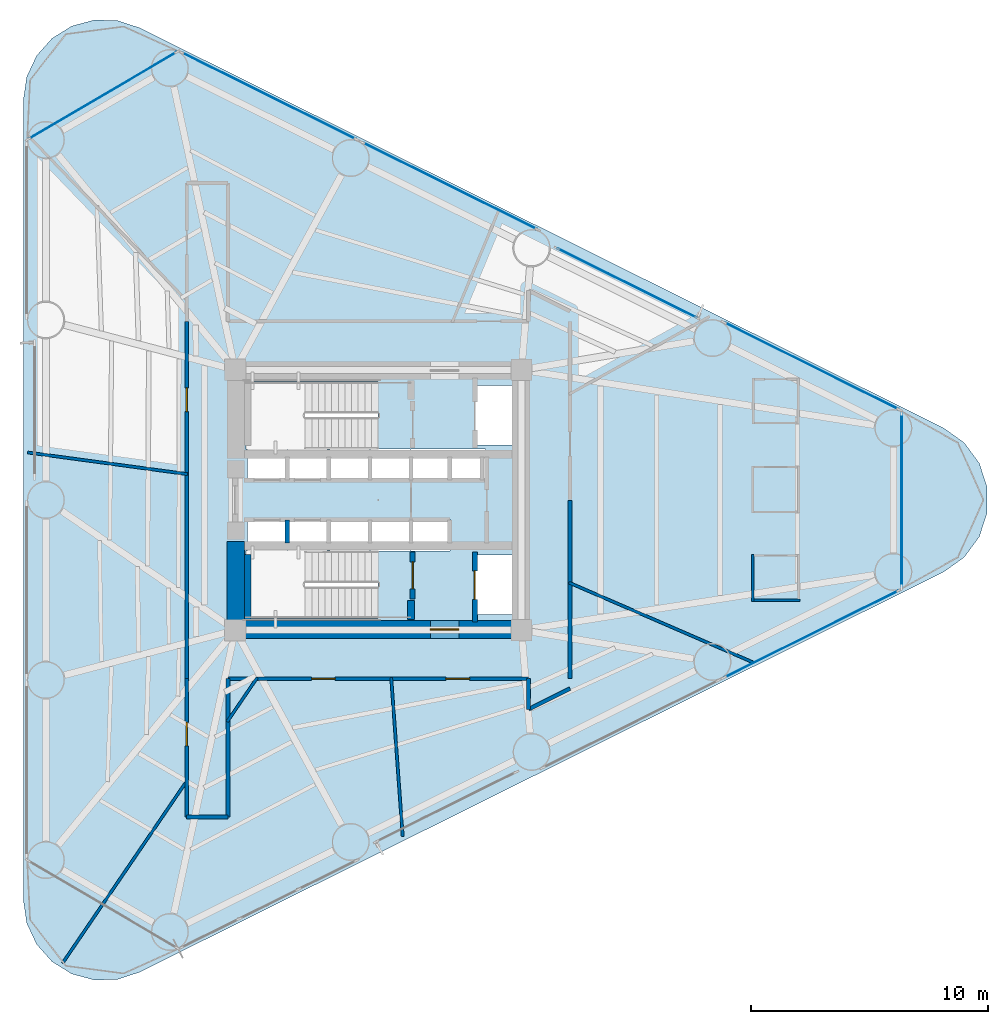
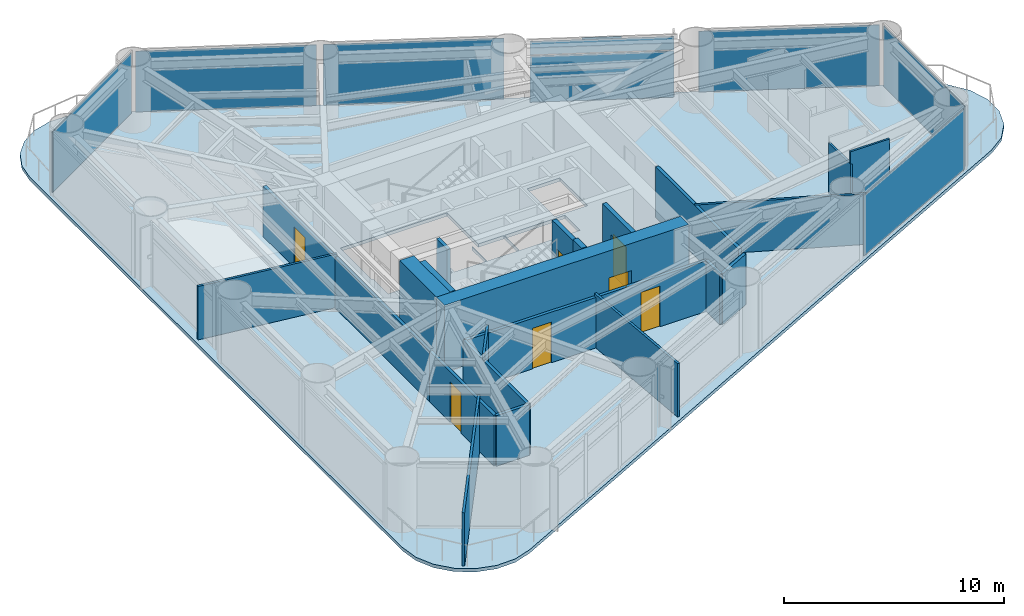
# One storey, part 5 of 10: 22 walls, 9 plates, 7 doors, 1 slab, 7 openings, 7 elements without a shape of their own.
"""IFC4 building model written with IfcOpenShell, lengths in metres."""

from ifc_helpers import new_model, si_unit, direction, frame, frame_2d, origin, origin_2d, place, context, subcontext, project, spatial, polyline, rectangle, outline, extrude, source, transform, mapped, material, layer, layer_set, type_object, element, fill, aggregate, save


model = new_model("IFC4")

# Units and contexts
model_context = context("Model", 3, precision=1e-05, world=origin(), true_north=direction((0.0, 1.0)))
body_context = subcontext(model_context, "Body", "Model", "MODEL_VIEW")
ifc_project = project(units=[si_unit("LENGTHUNIT", "METRE"), si_unit("AREAUNIT", "SQUARE_METRE"), si_unit("VOLUMEUNIT", "CUBIC_METRE"), si_unit("PLANEANGLEUNIT", "RADIAN"), si_unit("MASSUNIT", "GRAM", prefix="KILO")], contexts=[model_context])

# Site, building, storey
site_placement = place(None, origin())
site = spatial("IfcSite", under=ifc_project, at=site_placement, CompositionType="ELEMENT")
building_placement = place(site_placement, origin())
building = spatial("IfcBuilding", under=site, at=building_placement, Name="Yunling Apex Tower", CompositionType="ELEMENT")
storey_placement = place(building_placement, frame((0.0, 0.0, 31.199951171875)))
storey = spatial("IfcBuildingStorey", under=building, at=storey_placement, Name="L09", CompositionType="ELEMENT", Elevation=31.199951171875)

# Slab
ifc_material_1 = material(Name="Concrete C40", Category="concrete")
ifc_layer_1 = layer(ifc_material_1, 0.179931640625)
ifc_layer_set_1 = layer_set([ifc_layer_1], Name="Concrete C40")
slab_type = type_object("IfcSlabType", Name="SL-FLR-1", PredefinedType="FLOOR", material=ifc_layer_set_1)
slab_placement = place(storey_placement, frame((0.0, 0.0, -0.18505859375)))
element("IfcSlab", 1, at=slab_placement, inside=storey, type_object=slab_type, Name="L09 Composite Tower Floor Slab", PredefinedType="FLOOR", context=body_context, shape_type="SweptSolid", body=[
    extrude(outline(polyline([(-15.001953125, -16.909912109375), (-14.859619140625, -17.88330078125), (-14.444580078125, -18.775390625), (-13.79150390625, -19.510986328125), (-12.955078125, -20.029052734375), (-12.00537109375, -20.285888671875), (-11.02197265625, -20.260009765625), (-10.0869140625, -19.953857421875), (23.88818359375, -3.043701171875), (24.76123046875, -2.42041015625), (25.396484375, -1.555908203125), (25.730712890625, -0.536376953125), (25.730712890625, 0.536376953125), (25.396484375, 1.555908203125), (24.76123046875, 2.42041015625), (23.88818359375, 3.043701171875), (-10.0869140625, 19.953857421875), (-11.02197265625, 20.260009765625), (-12.00537109375, 20.285888671875), (-12.955078125, 20.029052734375), (-13.79150390625, 19.510986328125), (-14.444580078125, 18.775390625), (-14.859619140625, 17.88330078125), (-15.001953125, 16.909912109375), (-15.001953125, -16.909912109375)]), holes=[polyline([(5.81005859375, -2.320068359375), (5.81005859375, -4.840087890625), (4.090087890625, -4.840087890625), (4.090087890625, -2.320068359375), (5.81005859375, -2.320068359375)]), polyline([(5.81005859375, 4.840087890625), (5.81005859375, 2.320068359375), (4.090087890625, 2.320068359375), (4.090087890625, 4.840087890625), (5.81005859375, 4.840087890625)]), polyline([(1.364990234375, 2.1650390625), (4.534912109375, 2.1650390625), (4.534912109375, 0.794921875), (1.364990234375, 0.794921875), (1.364990234375, 2.1650390625)]), polyline([(3.034912109375, -0.794921875), (3.034912109375, -2.1650390625), (1.364990234375, -2.1650390625), (1.364990234375, -0.794921875), (3.034912109375, -0.794921875)]), polyline([(-5.534912109375, -0.794921875), (-3.864990234375, -0.794921875), (-3.864990234375, -2.139892578125), (-3.8349609375, -2.139892578125), (-3.8349609375, -0.794921875), (-2.1650390625, -0.794921875), (-2.1650390625, -2.139892578125), (-2.034912109375, -2.139892578125), (-2.034912109375, -0.794921875), (-0.364990234375, -0.794921875), (-0.364990234375, -2.139892578125), (-0.3349609375, -2.139892578125), (-0.3349609375, -0.794921875), (1.3349609375, -0.794921875), (1.3349609375, -2.1650390625), (-0.010009765625, -2.1650390625), (-0.010009765625, -5.010009765625), (-5.60009765625, -5.010009765625), (-5.60009765625, -2.139892578125), (-5.534912109375, -2.139892578125), (-5.534912109375, -0.794921875)]), polyline([(-5.60009765625, 2.139892578125), (-5.60009765625, 5.010009765625), (-0.010009765625, 5.010009765625), (-0.010009765625, 2.1650390625), (1.3349609375, 2.1650390625), (1.3349609375, 0.794921875), (-0.3349609375, 0.794921875), (-0.3349609375, 2.139892578125), (-0.364990234375, 2.139892578125), (-0.364990234375, 0.794921875), (-2.034912109375, 0.794921875), (-2.034912109375, 2.139892578125), (-2.1650390625, 2.139892578125), (-2.1650390625, 0.794921875), (-3.8349609375, 0.794921875), (-3.8349609375, 2.139892578125), (-3.864990234375, 2.139892578125), (-3.864990234375, 0.794921875), (-5.534912109375, 0.794921875), (-5.534912109375, 2.139892578125), (-5.60009765625, 2.139892578125)])]), origin(), (0.0, 0.0, 1.0), 0.18505859375),
])

# Curtain wall, plate
ifc_material_2 = material(Name="Bronze anodised aluminium", Category="aluminium")
ifc_layer_2 = layer(ifc_material_2, 0.260009765625)
ifc_layer_set_2 = layer_set([ifc_layer_2], Name="Bronze anodised aluminium")
curtain_wall_type = type_object("IfcCurtainWallType", Name="CW-SYS-2", PredefinedType="NOTDEFINED", material=ifc_layer_set_2)
curtain_wall_1_placement = place(storey_placement, origin())
curtain_wall_1 = element("IfcCurtainWall", 2, at=curtain_wall_1_placement, inside=storey, type_object=curtain_wall_type, Name="CW-L09-F1-B4", PredefinedType="NOTDEFINED")
ifc_material_3 = material(Name="Bronze tinted low-E glass", Category="glass")
ifc_layer_3 = layer(ifc_material_3, 0.033935546875)
ifc_layer_set_3 = layer_set([ifc_layer_3], Name="Bronze tinted low-E glass")
plate_type_1 = type_object("IfcPlateType", Name="CW-PNL-2", PredefinedType="CURTAIN_PANEL", material=ifc_layer_set_3)
shared_shape_1 = source(origin(), body_context, "Body", "SweptSolid", [
    extrude(rectangle(XDim=8.225341796875, YDim=0.033935546875, at=origin_2d()), origin(), (0.0, 0.0, 1.0), 3.361572265625),
])
plate_1_placement = place(storey_placement, frame((18.304931640625, -5.666259765625, 0.07666015625), z_axis=(0.0, 0.0, 1.0), x_axis=(0.895242031011, 0.445580190214, 0.0)))
plate_1 = element("IfcPlate", 3, at=plate_1_placement, type_object=plate_type_1, Name="CW-SYS-2 panel 1.1", PredefinedType="CURTAIN_PANEL", context=body_context, shape_type="MappedRepresentation", body=[
    mapped(shared_shape_1, transform((0.0, 0.0, 0.0), scale=1.0)),
])
aggregate(curtain_wall_1, [plate_1])

curtain_wall_2_placement = place(storey_placement, origin())
curtain_wall_2 = element("IfcCurtainWall", 4, at=curtain_wall_2_placement, inside=storey, type_object=curtain_wall_type, Name="CW-L09-F2-B1", PredefinedType="NOTDEFINED")
plate_2_placement = place(storey_placement, frame((18.304931640625, 5.666259765625, 0.07666015625), z_axis=(0.0, 0.0, 1.0), x_axis=(-0.895242031011, 0.445580190214, 0.0)))
plate_2 = element("IfcPlate", 5, at=plate_2_placement, type_object=plate_type_1, Name="CW-SYS-2 panel 1.1", PredefinedType="CURTAIN_PANEL", context=body_context, shape_type="MappedRepresentation", body=[
    mapped(shared_shape_1, transform((0.0, 0.0, 0.0), scale=1.0)),
])
aggregate(curtain_wall_2, [plate_2])

curtain_wall_3_placement = place(storey_placement, origin())
curtain_wall_3 = element("IfcCurtainWall", 6, at=curtain_wall_3_placement, inside=storey, type_object=curtain_wall_type, Name="CW-L09-F2-B3", PredefinedType="NOTDEFINED")
plate_3_placement = place(storey_placement, frame((3.01611328125, 13.27587890625, 0.07666015625), z_axis=(0.0, 0.0, 1.0), x_axis=(-0.895242031011, 0.445580190214, 0.0)))
plate_3 = element("IfcPlate", 7, at=plate_3_placement, type_object=plate_type_1, Name="CW-SYS-2 panel 1.1", PredefinedType="CURTAIN_PANEL", context=body_context, shape_type="MappedRepresentation", body=[
    mapped(shared_shape_1, transform((0.0, 0.0, 0.0), scale=1.0)),
])
aggregate(curtain_wall_3, [plate_3])

curtain_wall_4_placement = place(storey_placement, origin())
curtain_wall_4 = element("IfcCurtainWall", 8, at=curtain_wall_4_placement, inside=storey, type_object=curtain_wall_type, Name="CW-L09-F2-B4", PredefinedType="NOTDEFINED")
plate_4_placement = place(storey_placement, frame((-4.62841796875, 17.08056640625, 0.07666015625), z_axis=(0.0, 0.0, 1.0), x_axis=(-0.895246791748, 0.445570625003, 0.0)))
plate_4 = element("IfcPlate", 9, at=plate_4_placement, type_object=plate_type_1, Name="CW-SYS-2 panel 1.1", PredefinedType="CURTAIN_PANEL", context=body_context, shape_type="MappedRepresentation", body=[
    mapped(shared_shape_1, transform((0.0, 0.0, 0.0), scale=1.0)),
])
aggregate(curtain_wall_4, [plate_4])

curtain_wall_5_placement = place(storey_placement, origin())
curtain_wall_5 = element("IfcCurtainWall", 10, at=curtain_wall_5_placement, inside=storey, type_object=curtain_wall_type, Name="CW-L09-CRN1", PredefinedType="NOTDEFINED")
shared_shape_2 = source(origin(), body_context, "Body", "SweptSolid", [
    extrude(rectangle(XDim=7.338623046875, YDim=0.033935546875, at=origin_2d()), origin(), (0.0, 0.0, 1.0), 3.361572265625),
])
plate_5_placement = place(storey_placement, frame((22.1181640625, 0.0, 0.07666015625), z_axis=(0.0, 0.0, 1.0), x_axis=(0.0, 1.0, 0.0)))
plate_5 = element("IfcPlate", 11, at=plate_5_placement, type_object=plate_type_1, Name="CW-SYS-2 panel 1.1", PredefinedType="CURTAIN_PANEL", context=body_context, shape_type="MappedRepresentation", body=[
    mapped(shared_shape_2, transform((0.0, 0.0, 0.0), scale=1.0)),
])
aggregate(curtain_wall_5, [plate_5])

curtain_wall_6_placement = place(storey_placement, origin())
curtain_wall_6 = element("IfcCurtainWall", 12, at=curtain_wall_6_placement, inside=storey, type_object=curtain_wall_type, Name="CW-L09-CRN2", PredefinedType="NOTDEFINED")
shared_shape_3 = source(origin(), body_context, "Body", "SweptSolid", [
    extrude(rectangle(XDim=7.247314453125, YDim=0.033935546875, at=origin_2d()), origin(), (0.0, 0.0, 1.0), 3.361572265625),
])
plate_6_placement = place(storey_placement, frame((-11.650634765625, 17.092041015625, 0.07666015625), z_axis=(0.0, 0.0, 1.0), x_axis=(-0.86241873323, -0.506195543811, 0.0)))
plate_6 = element("IfcPlate", 13, at=plate_6_placement, type_object=plate_type_1, Name="CW-SYS-2 panel 1.1", PredefinedType="CURTAIN_PANEL", context=body_context, shape_type="MappedRepresentation", body=[
    mapped(shared_shape_3, transform((0.0, 0.0, 0.0), scale=1.0)),
])
aggregate(curtain_wall_6, [plate_6])

# Curtain wall, plates
curtain_wall_7_placement = place(storey_placement, origin())
curtain_wall_7 = element("IfcCurtainWall", 14, at=curtain_wall_7_placement, inside=storey, type_object=curtain_wall_type, Name="CW-L09-F2-B2", PredefinedType="NOTDEFINED")
shared_shape_4 = source(origin(), body_context, "Body", "SweptSolid", [
    extrude(rectangle(XDim=6.54541015625, YDim=0.033935546875, at=origin_2d()), origin(), (0.0, 0.0, 1.0), 2.560302734375),
])
plate_7_placement = place(storey_placement, frame((10.509033203125, 9.166748046875, 0.07666015625), z_axis=(0.0, 0.0, 1.0), x_axis=(-0.895243732344, 0.445576771947, 0.0)))
plate_7 = element("IfcPlate", 15, at=plate_7_placement, type_object=plate_type_1, Name="CW-SYS-2 panel 1.1", PredefinedType="CURTAIN_PANEL", context=body_context, shape_type="MappedRepresentation", body=[
    mapped(shared_shape_4, transform((0.0, 0.0, 0.0), scale=1.0)),
])
shared_shape_5 = source(origin(), body_context, "Body", "SweptSolid", [
    extrude(rectangle(XDim=6.54541015625, YDim=0.033935546875, at=origin_2d()), origin(), (0.0, 0.0, 1.0), 0.732666015625),
])
plate_8_placement = place(storey_placement, frame((10.509033203125, 9.166748046875, 2.70556640625), z_axis=(0.0, 0.0, 1.0), x_axis=(-0.895243732344, 0.445576771947, 0.0)))
plate_8 = element("IfcPlate", 16, at=plate_8_placement, type_object=plate_type_1, Name="CW-SYS-2 panel 1.2", PredefinedType="CURTAIN_PANEL", context=body_context, shape_type="MappedRepresentation", body=[
    mapped(shared_shape_5, transform((0.0, 0.0, 0.0), scale=1.0)),
])
aggregate(curtain_wall_7, [plate_7, plate_8])

# Plate
ifc_layer_4 = layer(ifc_material_2, 0.011962890625)
ifc_layer_set_4 = layer_set([ifc_layer_4], Name="Bronze anodised aluminium")
plate_type_2 = type_object("IfcPlateType", Name="SP-SHT-1", PredefinedType="SHEET", material=ifc_layer_set_4)
shared_shape_6 = source(origin(), body_context, "Body", "SweptSolid", [
    extrude(rectangle(XDim=1.800048828125, YDim=0.02392578125, at=origin_2d()), origin(), (0.0, 0.0, 1.0), 0.43994140625),
])
plate_9_placement = place(storey_placement, frame((10.509033203125, 9.166748046875, 3.114990234375), z_axis=(0.0, 0.0, 1.0), x_axis=(-0.895245648325, 0.445572922377, 0.0)))
element("IfcPlate", 17, at=plate_9_placement, inside=storey, type_object=plate_type_2, Name="SP-GRV-L09-F2", PredefinedType="SHEET", context=body_context, shape_type="MappedRepresentation", body=[
    mapped(shared_shape_6, transform((0.0, 0.0, 0.0), scale=1.0)),
])

# Wall, opening, door
ifc_material_4 = material(Name="Concrete C60", Category="concrete")
ifc_layer_5 = layer(ifc_material_4, 0.75)
ifc_layer_set_5 = layer_set([ifc_layer_5], Name="Concrete C60")
wall_type_1 = type_object("IfcWallType", Name="WL-COR-1", PredefinedType="SHEAR", material=ifc_layer_set_5)
wall_1_placement = place(storey_placement, frame((-6.39990234375, -5.47509765625, 0.0), z_axis=(0.0, 0.0, 1.0), x_axis=(1.0, 0.0, 0.0)))
wall_1 = element("IfcWall", 18, at=wall_1_placement, inside=storey, type_object=wall_type_1, Name="L09 South Core Shear Wall", PredefinedType="SHEAR", context=body_context, shape_type="SweptSolid", body=[
    extrude(rectangle(XDim=12.7998046875, YDim=0.75, at=frame_2d((6.39990234375, 0.0))), origin(), (0.0, 0.0, 1.0), 3.699951171875),
])
opening_1_placement = place(wall_1_placement, frame((8.60009765625, 0.0, 0.0)))
opening_1 = element("IfcOpeningElement", 19, at=opening_1_placement, cuts=wall_1, Name="Opening DR-FFL-1", PredefinedType="OPENING", context=body_context, shape_type="SweptSolid", body=[
    extrude(rectangle(XDim=1.199951171875, YDim=2.199951171875, at=frame_2d((0.60009765625, 1.10009765625))), frame((0.0, 0.385009765625, 0.0), z_axis=(0.0, -1.0, 0.0), x_axis=(1.0, 0.0, 0.0)), (0.0, 0.0, 1.0), 0.77001953125),
])
ifc_material_5 = material(Name="Steel Q355B", Category="steel")
door_type_1 = type_object("IfcDoorType", Name="DR-FFL-1", OperationType="NOTDEFINED", PredefinedType="DOOR", material=ifc_material_5)
door_1_placement = place(opening_1_placement, origin())
door_1 = element("IfcDoor", 20, at=door_1_placement, inside=storey, type_object=door_type_1, Name="L09 South Firefighting Lobby Door", OperationType="SINGLE_SWING_RIGHT", OverallHeight=2.199951171875, OverallWidth=1.199951171875, PredefinedType="DOOR", context=body_context, shape_type="SweptSolid", body=[
    extrude(rectangle(XDim=1.199951171875, YDim=2.199951171875, at=frame_2d((0.60009765625, 1.10009765625))), frame((0.0, 0.02490234375, 0.0), z_axis=(0.0, -1.0, 0.0), x_axis=(1.0, 0.0, 0.0)), (0.0, 0.0, 1.0), 0.050048828125),
])
fill(opening_1, door_1)

# Walls
wall_2_placement = place(storey_placement, frame((-6.02490234375, -5.10009765625, 0.0), z_axis=(0.0, 0.0, 1.0), x_axis=(0.0, 1.0, 0.0)))
element("IfcWall", 21, at=wall_2_placement, inside=storey, type_object=wall_type_1, Name="L09 West-South Core Shear Wall", PredefinedType="SHEAR", context=body_context, shape_type="SweptSolid", body=[
    extrude(rectangle(XDim=3.35009765625, YDim=0.75, at=frame_2d((1.675048828125, 0.0))), origin(), (0.0, 0.0, 1.0), 3.699951171875),
])
ifc_layer_6 = layer(ifc_material_1, 0.280029296875)
ifc_layer_set_6 = layer_set([ifc_layer_6], Name="Concrete C40")
wall_type_2 = type_object("IfcWallType", Name="WL-COR-8", PredefinedType="SHEAR", material=ifc_layer_set_6)
wall_3_placement = place(storey_placement, frame((-5.52001953125, -5.050048828125, 0.0), z_axis=(0.0, 0.0, 1.0), x_axis=(0.0, 1.0, 0.0)))
element("IfcWall", 22, at=wall_3_placement, inside=storey, type_object=wall_type_2, Name="L09 ST-2 West Landing Bearing Wall", PredefinedType="SHEAR", context=body_context, shape_type="SweptSolid", body=[
    extrude(rectangle(XDim=2.75, YDim=0.280029296875, at=frame_2d((1.375, 0.0))), origin(), (0.0, 0.0, 1.0), 3.699951171875),
])
wall_4_placement = place(storey_placement, frame((1.3798828125, -5.050048828125, 0.0), z_axis=(0.0, 0.0, 1.0), x_axis=(0.0, 1.0, 0.0)))
element("IfcWall", 23, at=wall_4_placement, inside=storey, type_object=wall_type_2, Name="L09 ST-2 East Landing Bearing Pier", PredefinedType="SHEAR", context=body_context, shape_type="SweptSolid", body=[
    extrude(rectangle(XDim=0.800048828125, YDim=0.280029296875, at=frame_2d((0.39990234375, 0.0))), origin(), (0.0, 0.0, 1.0), 3.699951171875),
])

# Wall, openings, doors
ifc_material_6 = material(Name="Gypsum board acoustic partition")
ifc_layer_7 = layer(ifc_material_6, 0.159912109375)
ifc_layer_set_7 = layer_set([ifc_layer_7], Name="Gypsum board acoustic partition")
wall_type_3 = type_object("IfcWallType", Name="WL-PRT-1", PredefinedType="PARTITIONING", material=ifc_layer_set_7)
wall_5_placement = place(storey_placement, frame((6.35009765625, -7.550048828125, 0.0), z_axis=(0.0, 0.0, 1.0), x_axis=(-1.0, 0.0, 0.0)))
wall_5 = element("IfcWall", 24, at=wall_5_placement, inside=storey, type_object=wall_type_3, Name="WL-CORR-L09-01", PredefinedType="PARTITIONING", context=body_context, shape_type="SweptSolid", body=[
    extrude(rectangle(XDim=12.7001953125, YDim=0.159912109375, at=frame_2d((6.35009765625, 0.0))), origin(), (0.0, 0.0, 1.0), 2.800048828125),
])
opening_2_placement = place(wall_5_placement, frame((2.49267578125, 0.0, 0.0)))
opening_2 = element("IfcOpeningElement", 25, at=opening_2_placement, cuts=wall_5, Name="Opening DR-OFF-1", PredefinedType="OPENING", context=body_context, shape_type="SweptSolid", body=[
    extrude(rectangle(XDim=1.0, YDim=2.25, at=frame_2d((0.5, 1.125))), frame((0.0, 0.08984375, 0.0), z_axis=(0.0, -1.0, 0.0), x_axis=(1.0, 0.0, 0.0)), (0.0, 0.0, 1.0), 0.179931640625),
])
opening_3_placement = place(wall_5_placement, frame((8.174560546875, 0.0, 0.0)))
opening_3 = element("IfcOpeningElement", 26, at=opening_3_placement, cuts=wall_5, Name="Opening DR-OFF-1", PredefinedType="OPENING", context=body_context, shape_type="SweptSolid", body=[
    extrude(rectangle(XDim=1.0, YDim=2.25, at=frame_2d((0.5, 1.125))), frame((0.0, 0.08984375, 0.0), z_axis=(0.0, -1.0, 0.0), x_axis=(1.0, 0.0, 0.0)), (0.0, 0.0, 1.0), 0.179931640625),
])
door_type_2 = type_object("IfcDoorType", Name="DR-OFF-1", OperationType="NOTDEFINED", PredefinedType="DOOR", material=ifc_material_2)
door_2_placement = place(opening_2_placement, origin())
door_2 = element("IfcDoor", 27, at=door_2_placement, inside=storey, type_object=door_type_2, Name="L09 Business Reading Lounge Door", OperationType="SINGLE_SWING_RIGHT", OverallHeight=2.25, OverallWidth=1.0, PredefinedType="DOOR", context=body_context, shape_type="SweptSolid", body=[
    extrude(rectangle(XDim=1.0, YDim=2.25, at=frame_2d((0.5, 1.125))), frame((0.0, 0.02490234375, 0.0), z_axis=(0.0, -1.0, 0.0), x_axis=(1.0, 0.0, 0.0)), (0.0, 0.0, 1.0), 0.050048828125),
])
fill(opening_2, door_2)
door_3_placement = place(opening_3_placement, origin())
door_3 = element("IfcDoor", 28, at=door_3_placement, inside=storey, type_object=door_type_2, Name="L09 Business Reading Lounge Door", OperationType="SINGLE_SWING_LEFT", OverallHeight=2.25, OverallWidth=1.0, PredefinedType="DOOR", context=body_context, shape_type="SweptSolid", body=[
    extrude(rectangle(XDim=1.0, YDim=2.25, at=frame_2d((0.5, 1.125))), frame((0.0, 0.02490234375, 0.0), z_axis=(0.0, -1.0, 0.0), x_axis=(1.0, 0.0, 0.0)), (0.0, 0.0, 1.0), 0.050048828125),
])
fill(opening_3, door_3)

# Walls
wall_6_placement = place(storey_placement, frame((-6.35009765625, -7.550048828125, 0.0), z_axis=(0.0, 0.0, 1.0), x_axis=(0.0, -1.0, 0.0)))
element("IfcWall", 29, at=wall_6_placement, inside=storey, type_object=wall_type_3, Name="WL-CORR-L09-02", PredefinedType="PARTITIONING", context=body_context, shape_type="SweptSolid", body=[
    extrude(rectangle(XDim=5.849853515625, YDim=0.159912109375, at=frame_2d((2.9248046875, 0.0))), origin(), (0.0, 0.0, 1.0), 2.800048828125),
])
wall_7_placement = place(storey_placement, frame((-6.35009765625, -13.39990234375, 0.0), z_axis=(0.0, 0.0, 1.0), x_axis=(-1.0, 0.0, 0.0)))
element("IfcWall", 30, at=wall_7_placement, inside=storey, type_object=wall_type_3, Name="WL-CORR-L09-03", PredefinedType="PARTITIONING", context=body_context, shape_type="SweptSolid", body=[
    extrude(rectangle(XDim=1.75, YDim=0.159912109375, at=frame_2d((0.875, 0.0))), origin(), (0.0, 0.0, 1.0), 2.800048828125),
])

# Wall, opening, door
wall_8_placement = place(storey_placement, frame((-8.10009765625, -13.39990234375, 0.0), z_axis=(0.0, 0.0, 1.0), x_axis=(0.0, 1.0, 0.0)))
wall_8 = element("IfcWall", 31, at=wall_8_placement, inside=storey, type_object=wall_type_3, Name="WL-CORR-L09-04", PredefinedType="PARTITIONING", context=body_context, shape_type="SweptSolid", body=[
    extrude(rectangle(XDim=5.849853515625, YDim=0.159912109375, at=frame_2d((2.9248046875, 0.0))), origin(), (0.0, 0.0, 1.0), 2.800048828125),
])
opening_4_placement = place(wall_8_placement, frame((3.007080078125, 0.0, 0.0)))
opening_4 = element("IfcOpeningElement", 32, at=opening_4_placement, cuts=wall_8, Name="Opening DR-OFF-1", PredefinedType="OPENING", context=body_context, shape_type="SweptSolid", body=[
    extrude(rectangle(XDim=1.0, YDim=2.25, at=frame_2d((0.5, 1.125))), frame((0.0, 0.08984375, 0.0), z_axis=(0.0, -1.0, 0.0), x_axis=(1.0, 0.0, 0.0)), (0.0, 0.0, 1.0), 0.179931640625),
])
door_4_placement = place(opening_4_placement, origin())
door_4 = element("IfcDoor", 33, at=door_4_placement, inside=storey, type_object=door_type_2, Name="L09 Executive Office Door", OperationType="SINGLE_SWING_RIGHT", OverallHeight=2.25, OverallWidth=1.0, PredefinedType="DOOR", context=body_context, shape_type="SweptSolid", body=[
    extrude(rectangle(XDim=1.0, YDim=2.25, at=frame_2d((0.5, 1.125))), frame((0.0, 0.02490234375, 0.0), z_axis=(0.0, -1.0, 0.0), x_axis=(1.0, 0.0, 0.0)), (0.0, 0.0, 1.0), 0.050048828125),
])
fill(opening_4, door_4)

wall_9_placement = place(storey_placement, frame((-8.10009765625, -7.550048828125, 0.0), z_axis=(0.0, 0.0, 1.0), x_axis=(0.0, 1.0, 0.0)))
wall_9 = element("IfcWall", 34, at=wall_9_placement, inside=storey, type_object=wall_type_3, Name="WL-CORR-L09-05", PredefinedType="PARTITIONING", context=body_context, shape_type="SweptSolid", body=[
    extrude(rectangle(XDim=15.10009765625, YDim=0.159912109375, at=frame_2d((7.550048828125, 0.0))), origin(), (0.0, 0.0, 1.0), 2.800048828125),
])
opening_5_placement = place(wall_9_placement, frame((11.285400390625, 0.0, 0.0)))
opening_5 = element("IfcOpeningElement", 35, at=opening_5_placement, cuts=wall_9, Name="Opening DR-OFF-1", PredefinedType="OPENING", context=body_context, shape_type="SweptSolid", body=[
    extrude(rectangle(XDim=1.0, YDim=2.25, at=frame_2d((0.5, 1.125))), frame((0.0, 0.08984375, 0.0), z_axis=(0.0, -1.0, 0.0), x_axis=(1.0, 0.0, 0.0)), (0.0, 0.0, 1.0), 0.179931640625),
])
door_5_placement = place(opening_5_placement, origin())
door_5 = element("IfcDoor", 36, at=door_5_placement, inside=storey, type_object=door_type_2, Name="L09 Executive Office Door", OperationType="SINGLE_SWING_LEFT", OverallHeight=2.25, OverallWidth=1.0, PredefinedType="DOOR", context=body_context, shape_type="SweptSolid", body=[
    extrude(rectangle(XDim=1.0, YDim=2.25, at=frame_2d((0.5, 1.125))), frame((0.0, 0.02490234375, 0.0), z_axis=(0.0, -1.0, 0.0), x_axis=(1.0, 0.0, 0.0)), (0.0, 0.0, 1.0), 0.050048828125),
])
fill(opening_5, door_5)

# Walls
wall_10_placement = place(storey_placement, frame((8.10009765625, -0.02001953125, 0.0), z_axis=(0.0, 0.0, 1.0), x_axis=(0.0, -1.0, 0.0)))
element("IfcWall", 37, at=wall_10_placement, inside=storey, type_object=wall_type_3, Name="WL-CORR-L09-14", PredefinedType="PARTITIONING", context=body_context, shape_type="SweptSolid", body=[
    extrude(rectangle(XDim=7.530029296875, YDim=0.159912109375, at=frame_2d((3.76513671875, 0.0))), origin(), (0.0, 0.0, 1.0), 2.800048828125),
])
wall_11_placement = place(storey_placement, frame((8.10009765625, -7.975341796875, 0.0), z_axis=(0.0, 0.0, 1.0), x_axis=(-0.89527489017, -0.445514164793, 0.0)))
element("IfcWall", 38, at=wall_11_placement, inside=storey, type_object=wall_type_3, Name="WL-CORR-L09-16", PredefinedType="PARTITIONING", context=body_context, shape_type="SweptSolid", body=[
    extrude(rectangle(XDim=1.95458984375, YDim=0.159912109375, at=frame_2d((0.977294921875, 0.0))), origin(), (0.0, 0.0, 1.0), 2.800048828125),
])
wall_12_placement = place(storey_placement, frame((6.35009765625, -8.84619140625, 0.0), z_axis=(0.0, 0.0, 1.0), x_axis=(0.0, 1.0, 0.0)))
element("IfcWall", 39, at=wall_12_placement, inside=storey, type_object=wall_type_3, Name="WL-CORR-L09-17", PredefinedType="PARTITIONING", context=body_context, shape_type="SweptSolid", body=[
    extrude(rectangle(XDim=1.296142578125, YDim=0.159912109375, at=frame_2d((0.64794921875, 0.0))), origin(), (0.0, 0.0, 1.0), 2.800048828125),
])
ifc_layer_8 = layer(ifc_material_6, 0.1201171875)
ifc_layer_set_8 = layer_set([ifc_layer_8], Name="Gypsum board acoustic partition")
wall_type_4 = type_object("IfcWallType", Name="WL-PRT-3", PredefinedType="PARTITIONING", material=ifc_layer_set_8)
wall_13_placement = place(storey_placement, frame((-8.06005859375, 1.091796875, 0.0), z_axis=(0.0, 0.0, 1.0), x_axis=(-0.990948874496, 0.13423981576, 0.0)))
element("IfcWall", 40, at=wall_13_placement, inside=storey, type_object=wall_type_4, Name="WL-RAD-L09-04", PredefinedType="PARTITIONING", context=body_context, shape_type="SweptSolid", body=[
    extrude(rectangle(XDim=6.82373046875, YDim=0.1201171875, at=frame_2d((3.411865234375, 0.0))), origin(), (0.0, 0.0, 1.0), 2.9599609375),
])
wall_14_placement = place(storey_placement, frame((-5.1201171875, -7.510009765625, 0.0), z_axis=(0.0, 0.0, 1.0), x_axis=(-0.563343546536, -0.826222759657, 0.0)))
element("IfcWall", 41, at=wall_14_placement, inside=storey, type_object=wall_type_4, Name="WL-RAD-L09-05", PredefinedType="PARTITIONING", context=body_context, shape_type="SweptSolid", body=[
    extrude(rectangle(XDim=2.25390625, YDim=0.1201171875, at=frame_2d((1.126953125, 0.0))), origin(), (0.0, 0.0, 1.0), 3.16015625),
])
wall_15_placement = place(storey_placement, frame((-8.06005859375, -11.82177734375, 0.0), z_axis=(0.0, 0.0, 1.0), x_axis=(-0.56331583488, -0.826241653618, 0.0)))
element("IfcWall", 42, at=wall_15_placement, inside=storey, type_object=wall_type_4, Name="WL-RAD-L09-06", PredefinedType="PARTITIONING", context=body_context, shape_type="SweptSolid", body=[
    extrude(rectangle(XDim=9.384033203125, YDim=0.1201171875, at=frame_2d((4.69189453125, 0.0))), origin(), (0.0, 0.0, 1.0), 2.9599609375),
])
wall_16_placement = place(storey_placement, frame((0.5439453125, -7.510009765625, 0.0), z_axis=(0.0, 0.0, 1.0), x_axis=(0.072255425025, -0.997386160699, 0.0)))
element("IfcWall", 43, at=wall_16_placement, inside=storey, type_object=wall_type_4, Name="WL-RAD-L09-07", PredefinedType="PARTITIONING", context=body_context, shape_type="SweptSolid", body=[
    extrude(rectangle(XDim=6.727294921875, YDim=0.1201171875, at=frame_2d((3.36376953125, 0.0))), origin(), (0.0, 0.0, 1.0), 2.9599609375),
])
wall_17_placement = place(storey_placement, frame((8.06005859375, -3.49267578125, 0.0), z_axis=(0.0, 0.0, 1.0), x_axis=(0.917561590562, -0.397593671385, 0.0)))
element("IfcWall", 44, at=wall_17_placement, inside=storey, type_object=wall_type_4, Name="WL-RAD-L09-08", PredefinedType="PARTITIONING", context=body_context, shape_type="SweptSolid", body=[
    extrude(rectangle(XDim=8.4609375, YDim=0.1201171875, at=frame_2d((4.23046875, 0.0))), origin(), (0.0, 0.0, 1.0), 2.800048828125),
])
ifc_layer_9 = layer(ifc_material_6, 0.10009765625)
ifc_layer_set_9 = layer_set([ifc_layer_9], Name="Gypsum board acoustic partition")
wall_type_5 = type_object("IfcWallType", Name="WL-PRT-4", PredefinedType="PARTITIONING", material=ifc_layer_set_9)
wall_18_placement = place(storey_placement, frame((17.820068359375, -4.243896484375, 0.0), z_axis=(0.0, 0.0, 1.0), x_axis=(-1.0, 0.0, 0.0)))
element("IfcWall", 45, at=wall_18_placement, inside=storey, type_object=wall_type_5, Name="WL-L09-WCFS", PredefinedType="PARTITIONING", context=body_context, shape_type="SweptSolid", body=[
    extrude(rectangle(XDim=2.050048828125, YDim=0.10009765625, at=frame_2d((1.02490234375, 0.0))), origin(), (0.0, 0.0, 1.0), 3.4951171875),
])
wall_19_placement = place(storey_placement, frame((15.820068359375, -4.2939453125, 0.0), z_axis=(0.0, 0.0, 1.0), x_axis=(0.0, 1.0, 0.0)))
element("IfcWall", 46, at=wall_19_placement, inside=storey, type_object=wall_type_5, Name="WL-L09-WCFW", PredefinedType="PARTITIONING", context=body_context, shape_type="SweptSolid", body=[
    extrude(rectangle(XDim=2.0, YDim=0.10009765625, at=frame_2d((1.0, 0.0))), origin(), (0.0, 0.0, 1.0), 2.800048828125),
])

# Wall, opening, door
ifc_material_7 = material(Name="Autoclaved aerated concrete masonry", Category="masonry")
ifc_layer_10 = layer(ifc_material_7, 0.219970703125)
ifc_layer_set_10 = layer_set([ifc_layer_10], Name="Autoclaved aerated concrete masonry")
wall_type_6 = type_object("IfcWallType", Name="WL-SHF-1", PredefinedType="PLUMBINGWALL", material=ifc_layer_set_10)
wall_20_placement = place(storey_placement, frame((1.449951171875, -4.179931640625, 0.0), z_axis=(0.0, 0.0, 1.0), x_axis=(0.0, 1.0, 0.0)))
wall_20 = element("IfcWall", 47, at=wall_20_placement, inside=storey, type_object=wall_type_6, Name="WL-ST2-E-L09", PredefinedType="PLUMBINGWALL", context=body_context, shape_type="SweptSolid", body=[
    extrude(rectangle(XDim=1.97998046875, YDim=0.219970703125, at=frame_2d((0.989990234375, 0.0))), origin(), (0.0, 0.0, 1.0), 3.4951171875),
])
opening_6_placement = place(wall_20_placement, frame((0.419921875, 0.0, 0.0)))
opening_6 = element("IfcOpeningElement", 48, at=opening_6_placement, cuts=wall_20, Name="Opening DR-ST-1", PredefinedType="OPENING", context=body_context, shape_type="SweptSolid", body=[
    extrude(rectangle(XDim=1.14990234375, YDim=2.14990234375, at=frame_2d((0.574951171875, 1.074951171875))), frame((0.0, 0.1201171875, 0.0), z_axis=(0.0, -1.0, 0.0), x_axis=(1.0, 0.0, 0.0)), (0.0, 0.0, 1.0), 0.239990234375),
])
door_type_3 = type_object("IfcDoorType", Name="DR-ST-1", OperationType="NOTDEFINED", PredefinedType="DOOR", material=ifc_material_5)
door_6_placement = place(opening_6_placement, origin())
door_6 = element("IfcDoor", 49, at=door_6_placement, inside=storey, type_object=door_type_3, Name="L09 Stair ST-2 Fire Door", OperationType="SINGLE_SWING_RIGHT", OverallHeight=2.14990234375, OverallWidth=1.14990234375, PredefinedType="DOOR", context=body_context, shape_type="SweptSolid", body=[
    extrude(rectangle(XDim=1.14990234375, YDim=2.14990234375, at=frame_2d((0.574951171875, 1.074951171875))), frame((0.0, 0.02490234375, 0.0), z_axis=(0.0, -1.0, 0.0), x_axis=(1.0, 0.0, 0.0)), (0.0, 0.0, 1.0), 0.050048828125),
])
fill(opening_6, door_6)

wall_21_placement = place(storey_placement, frame((4.080078125, -5.14990234375, 0.0), z_axis=(0.0, 0.0, 1.0), x_axis=(0.0, 1.0, 0.0)))
wall_21 = element("IfcWall", 50, at=wall_21_placement, inside=storey, type_object=wall_type_6, Name="WL-FFL2-W-L09", PredefinedType="PLUMBINGWALL", context=body_context, shape_type="SweptSolid", body=[
    extrude(rectangle(XDim=2.949951171875, YDim=0.219970703125, at=frame_2d((1.47509765625, 0.0))), origin(), (0.0, 0.0, 1.0), 3.4951171875),
])
opening_7_placement = place(wall_21_placement, frame((0.949951171875, 0.0, 0.0)))
opening_7 = element("IfcOpeningElement", 51, at=opening_7_placement, cuts=wall_21, Name="Opening LD-FFL-1", PredefinedType="OPENING", context=body_context, shape_type="SweptSolid", body=[
    extrude(rectangle(XDim=1.199951171875, YDim=2.25, at=frame_2d((0.60009765625, 1.125))), frame((0.0, 0.1201171875, 0.0), z_axis=(0.0, -1.0, 0.0), x_axis=(1.0, 0.0, 0.0)), (0.0, 0.0, 1.0), 0.239990234375),
])
door_type_4 = type_object("IfcDoorType", Name="LD-FFL-1", OperationType="DOUBLE_DOOR_SLIDING", PredefinedType="DOOR", material=ifc_material_5)
door_7_placement = place(opening_7_placement, origin())
door_7 = element("IfcDoor", 52, at=door_7_placement, inside=storey, type_object=door_type_4, Name="L09 Lift FFL-2 Landing Door", OperationType="DOUBLE_DOOR_SLIDING", OverallHeight=2.25, OverallWidth=1.199951171875, PredefinedType="DOOR", context=body_context, shape_type="SweptSolid", body=[
    extrude(rectangle(XDim=1.199951171875, YDim=2.25, at=frame_2d((0.60009765625, 1.125))), frame((0.0, 0.02490234375, 0.0), z_axis=(0.0, -1.0, 0.0), x_axis=(1.0, 0.0, 0.0)), (0.0, 0.0, 1.0), 0.050048828125),
])
fill(opening_7, door_7)

# Wall
ifc_layer_11 = layer(ifc_material_7, 0.179931640625)
ifc_layer_set_11 = layer_set([ifc_layer_11], Name="Autoclaved aerated concrete masonry")
wall_type_7 = type_object("IfcWallType", Name="WL-SHF-2", PredefinedType="PLUMBINGWALL", material=ifc_layer_set_11)
wall_22_placement = place(storey_placement, frame((-3.85009765625, -1.820068359375, 0.0), z_axis=(0.0, 0.0, 1.0), x_axis=(0.0, 1.0, 0.0)))
element("IfcWall", 53, at=wall_22_placement, inside=storey, type_object=wall_type_7, Name="WL-DIV-L34-L09", PredefinedType="PLUMBINGWALL", context=body_context, shape_type="SweptSolid", body=[
    extrude(rectangle(XDim=0.97998046875, YDim=0.179931640625, at=frame_2d((0.489990234375, 0.0))), origin(), (0.0, 0.0, 1.0), 3.4951171875),
])

save(model, "model.ifc")
